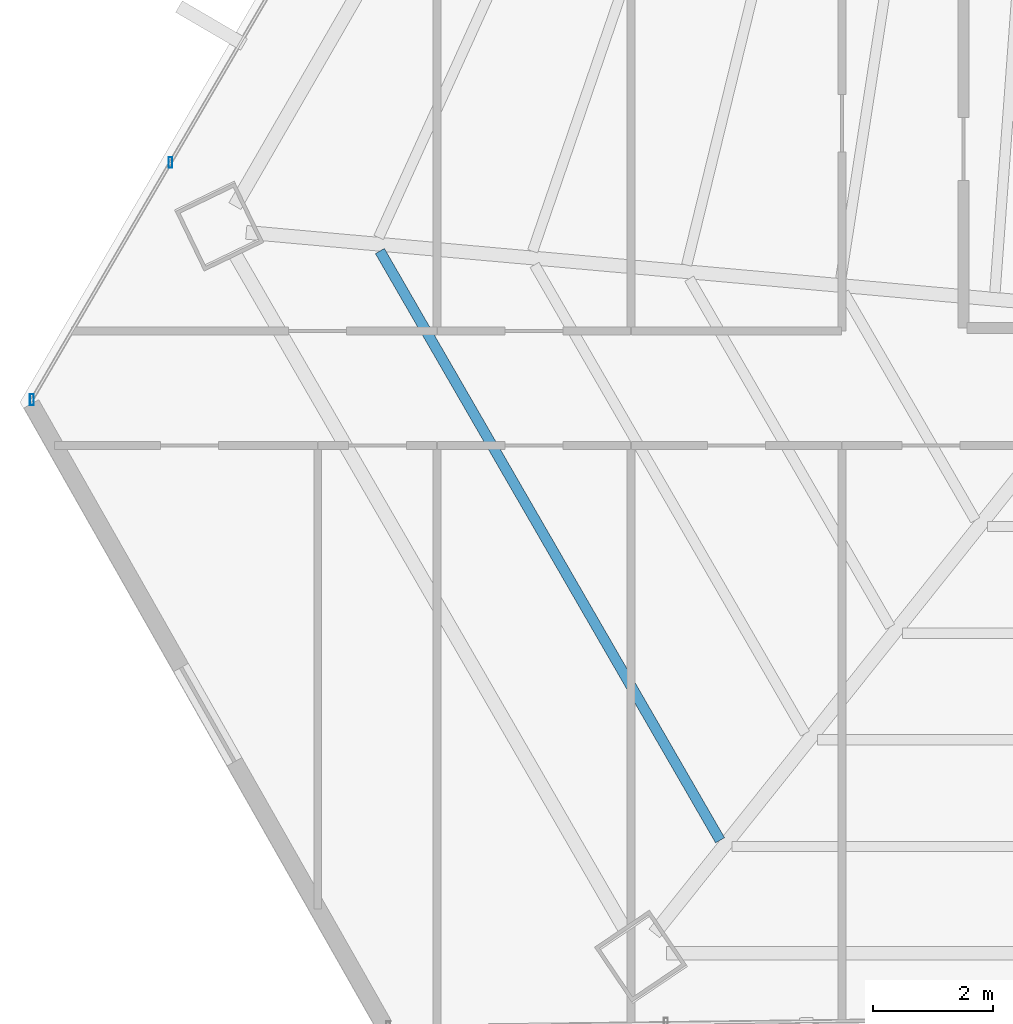
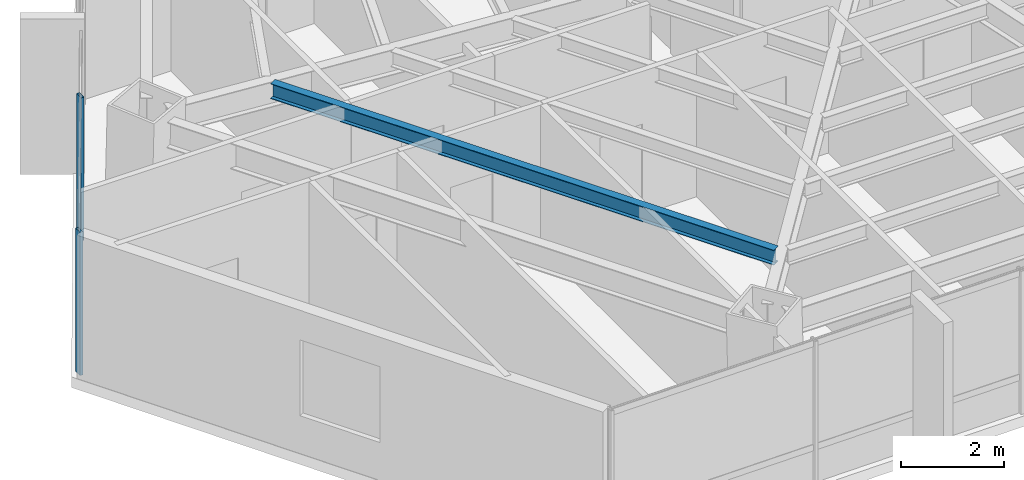
# One storey, part 5 of 35: 2 members, 1 beam, 1 element without a shape of its own.
"""IFC4 building model written with IfcOpenShell, lengths in metres."""

from ifc_helpers import new_model, si_unit, direction, frame, origin, origin_2d, place, context, subcontext, project, spatial, hollow_rectangle, i_section, extrude, source, transform, mapped, material, material_profile, profile_set, type_object, type_shapes, element, aggregate, save


model = new_model("IFC4")

# Units and contexts
model_context = context("Model", 3, precision=1e-05, world=origin(), true_north=direction((0.0, 1.0)))
body_context = subcontext(model_context, "Body", "Model", "MODEL_VIEW")
ifc_project = project(units=[si_unit("LENGTHUNIT", "METRE"), si_unit("AREAUNIT", "SQUARE_METRE"), si_unit("VOLUMEUNIT", "CUBIC_METRE"), si_unit("PLANEANGLEUNIT", "RADIAN"), si_unit("MASSUNIT", "GRAM", prefix="KILO")], contexts=[model_context])

# Site, building, storey
site_placement = place(None, origin())
site = spatial("IfcSite", under=ifc_project, at=site_placement, CompositionType="ELEMENT")
building_placement = place(site_placement, origin())
building = spatial("IfcBuilding", under=site, at=building_placement, Name="Caelisora Broadcast Tower", CompositionType="ELEMENT")
storey_placement = place(building_placement, frame((0.0, 0.0, 123.64990234375)))
storey = spatial("IfcBuildingStorey", under=building, at=storey_placement, Name="L32", CompositionType="ELEMENT", Elevation=123.64990234375)

# Beam
ifc_material_1 = material(Name="Steel Grade 350 (AS/NZS 3679.1)", Category="steel")
ifc_material_profile_1 = material_profile(ifc_material_1, i_section(OverallWidth=0.172119140625, OverallDepth=0.358642578125, WebThickness=0.008056640625, FlangeThickness=0.012939453125, at=origin_2d()), Name="Steel Grade 350 (AS/NZS 3679.1)")
ifc_profile_set_1 = profile_set([ifc_material_profile_1], Name="Steel Grade 350 (AS/NZS 3679.1)")
beam_type = type_object("IfcBeamType", Name="SB02", PredefinedType="JOIST", material=ifc_profile_set_1)
shared_shape_1 = source(origin(), body_context, "Body", "SweptSolid", [
    extrude(i_section(OverallWidth=0.172119140625, OverallDepth=0.358642578125, WebThickness=0.008056640625, FlangeThickness=0.012939453125, at=origin_2d()), origin(), (0.0, 0.0, 1.0), 11.2939453125),
])
type_shapes(beam_type, [shared_shape_1])
beam_placement = place(storey_placement, frame((17.730712890625, 18.429931640625, 3.220703125), z_axis=(0.500003137431, -0.86602359238, 0.0), x_axis=(0.86602359238, 0.500003137431, 0.0)))
element("IfcBeam", 1, at=beam_placement, inside=storey, type_object=beam_type, Name="L32 beam SB02", PredefinedType="JOIST", context=body_context, shape_type="MappedRepresentation", body=[
    mapped(shared_shape_1, transform((0.0, 0.0, 0.0), scale=1.0)),
])

# Curtain wall, members
ifc_material_2 = material(Name="Unitised Aluminium and Low-E Glass Curtain Wall", Category="glass")
curtain_wall_type = type_object("IfcCurtainWallType", Name="CW-Z2", PredefinedType="NOTDEFINED", material=ifc_material_2)
curtain_wall_placement = place(storey_placement, origin())
curtain_wall = element("IfcCurtainWall", 2, at=curtain_wall_placement, inside=storey, type_object=curtain_wall_type, Name="L32 curtain wall CW-Z2", PredefinedType="NOTDEFINED")
ifc_material_3 = material(Name="Aluminium 6063-T6 Anodised Terracotta Bronze", Category="aluminium")
ifc_material_profile_2 = material_profile(ifc_material_3, hollow_rectangle(XDim=0.06494140625, YDim=0.179931640625, WallThickness=0.00341796875, at=origin_2d()), Name="Aluminium 6063-T6 Anodised Terracotta Bronze")
ifc_profile_set_2 = profile_set([ifc_material_profile_2], Name="Aluminium 6063-T6 Anodised Terracotta Bronze")
member_type = type_object("IfcMemberType", Name="CWM-02", PredefinedType="MULLION", material=ifc_profile_set_2)
shared_shape_2 = source(origin(), body_context, "Body", "SweptSolid", [
    extrude(hollow_rectangle(XDim=0.06494140625, YDim=0.179931640625, WallThickness=0.00341796875, at=origin_2d()), origin(), (0.0, 0.0, 1.0), 3.400146484375),
])
type_shapes(member_type, [shared_shape_2])
member_1_placement = place(storey_placement, frame((11.955078125, 15.963134765625, 0.0), z_axis=(0.0, 0.0, 1.0), x_axis=(1.0, 0.0, 0.0)))
member_1 = element("IfcMember", 3, at=member_1_placement, type_object=member_type, Name="L32-CW-B09 mullion #0", PredefinedType="MULLION", context=body_context, shape_type="MappedRepresentation", body=[
    mapped(shared_shape_2, transform((0.0, 0.0, 0.0), scale=1.0)),
])
member_2_placement = place(storey_placement, frame((14.255126953125, 19.898681640625, 0.0), z_axis=(0.0, 0.0, 1.0), x_axis=(1.0, 0.0, 0.0)))
member_2 = element("IfcMember", 4, at=member_2_placement, type_object=member_type, Name="L32-CW-B09 mullion #1", PredefinedType="MULLION", context=body_context, shape_type="MappedRepresentation", body=[
    mapped(shared_shape_2, transform((0.0, 0.0, 0.0), scale=1.0)),
])
aggregate(curtain_wall, [member_1, member_2])

save(model, "model.ifc")
